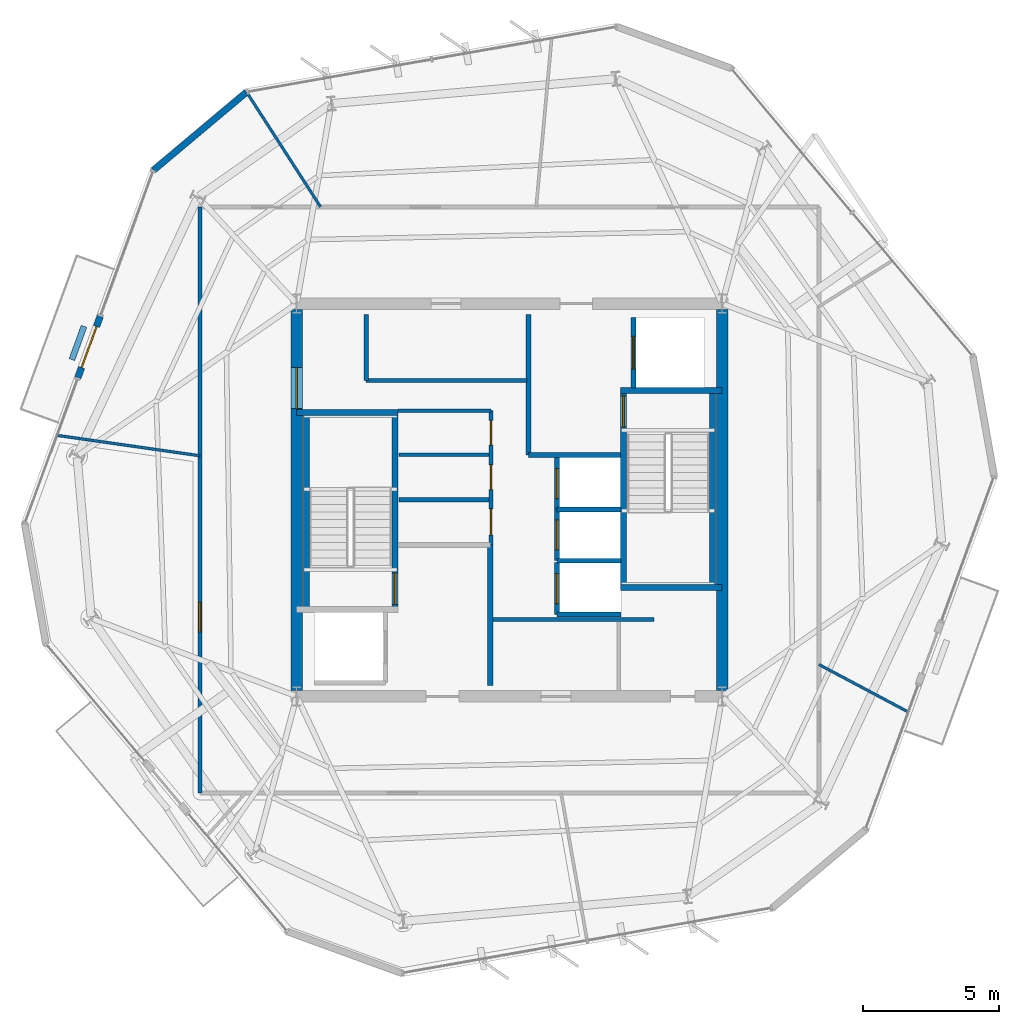
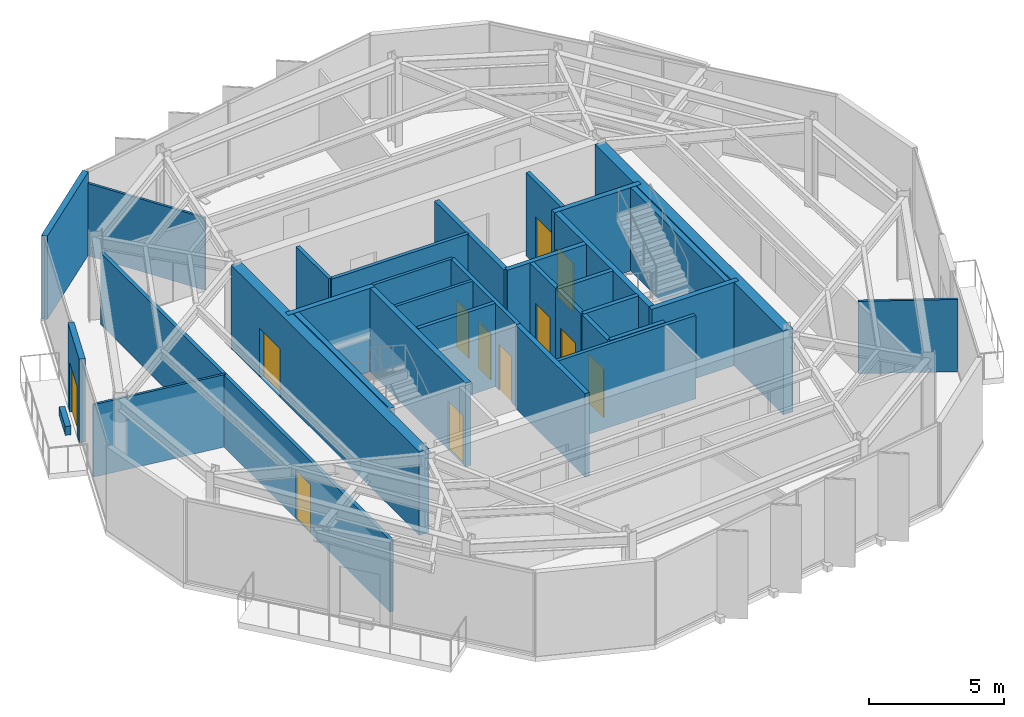
# One storey, part 7 of 11: 33 walls, 12 doors, 12 openings.
"""IFC4 building model written with IfcOpenShell, lengths in metres."""

from ifc_helpers import new_model, si_unit, direction, frame, frame_2d, origin, place, context, subcontext, project, spatial, rectangle, extrude, material, layer, layer_set, type_object, element, fill, save


model = new_model("IFC4")

# Units and contexts
model_context = context("Model", 3, precision=1e-05, world=origin(), true_north=direction((0.0, 1.0)))
body_context = subcontext(model_context, "Body", "Model", "MODEL_VIEW")
ifc_project = project(units=[si_unit("LENGTHUNIT", "METRE"), si_unit("AREAUNIT", "SQUARE_METRE"), si_unit("VOLUMEUNIT", "CUBIC_METRE"), si_unit("PLANEANGLEUNIT", "RADIAN"), si_unit("MASSUNIT", "GRAM", prefix="KILO")], contexts=[model_context])

# Site, building, storey
site_placement = place(None, origin())
site = spatial("IfcSite", under=ifc_project, at=site_placement, CompositionType="ELEMENT")
building_placement = place(site_placement, origin())
building = spatial("IfcBuilding", under=site, at=building_placement, Name="Kranzbogen Civic Tower", CompositionType="ELEMENT")
storey_placement = place(building_placement, frame((0.0, 0.0, 306.199951171875)))
storey = spatial("IfcBuildingStorey", under=building, at=storey_placement, Name="L74", CompositionType="ELEMENT", Elevation=306.199951171875)

# Walls
ifc_material_1 = material(Name="Double-Stud Acoustic Gypsum Partition")
ifc_layer_1 = layer(ifc_material_1, 0.14990234375, Name="Double-Stud Acoustic Gypsum Partition")
ifc_layer_set_1 = layer_set([ifc_layer_1], Name="Double-Stud Acoustic Gypsum Partition")
wall_type_1 = type_object("IfcWallType", Name="Acoustic Corridor and Clinical Partition 150 mm", PredefinedType="PARTITIONING", material=ifc_layer_set_1)
wall_1_placement = place(storey_placement, frame((24.39990234375, 20.610107421875, 0.0), z_axis=(0.0, 0.0, 1.0), x_axis=(1.0, 0.0, 0.0)))
element("IfcWall", 1, at=wall_1_placement, inside=storey, type_object=wall_type_1, Name="L74 records zone North wall", PredefinedType="PARTITIONING", context=body_context, shape_type="SweptSolid", body=[
    extrude(rectangle(XDim=5.900146484375, YDim=0.14990234375, at=frame_2d((2.9501953125, 0.0))), origin(), (0.0, 0.0, 1.0), 3.780029296875),
])
wall_2_placement = place(storey_placement, frame((19.75, 29.389892578125, 0.0), z_axis=(0.0, 0.0, 1.0), x_axis=(1.0, 0.0, 0.0)))
element("IfcWall", 2, at=wall_2_placement, inside=storey, type_object=wall_type_1, Name="L74 digital comms South wall", PredefinedType="PARTITIONING", context=body_context, shape_type="SweptSolid", body=[
    extrude(rectangle(XDim=5.89990234375, YDim=0.14990234375, at=frame_2d((2.949951171875, 0.0))), origin(), (0.0, 0.0, 1.0), 3.780029296875),
])
wall_3_placement = place(storey_placement, frame((19.75, 29.389892578125, 0.0), z_axis=(0.0, 0.0, 1.0), x_axis=(0.0, 1.0, 0.0)))
element("IfcWall", 3, at=wall_3_placement, inside=storey, type_object=wall_type_1, Name="L74 digital comms West wall", PredefinedType="PARTITIONING", context=body_context, shape_type="SweptSolid", body=[
    extrude(rectangle(XDim=2.41015625, YDim=0.14990234375, at=frame_2d((1.205078125, 0.0))), origin(), (0.0, 0.0, 1.0), 3.780029296875),
])

# Wall, opening, door
wall_4_placement = place(storey_placement, frame((13.64990234375, 14.25, 0.0), z_axis=(0.0, 0.0, 1.0), x_axis=(0.0, 1.0, 0.0)))
wall_4 = element("IfcWall", 4, at=wall_4_placement, inside=storey, type_object=wall_type_1, Name="L74 corridor partition 04", PredefinedType="PARTITIONING", context=body_context, shape_type="SweptSolid", body=[
    extrude(rectangle(XDim=21.5, YDim=0.14990234375, at=frame_2d((10.75, 0.0))), origin(), (0.0, 0.0, 1.0), 3.25),
])
opening_1_placement = place(wall_4_placement, frame((5.9140625, 0.0, 0.0)))
opening_1 = element("IfcOpeningElement", 5, at=opening_1_placement, cuts=wall_4, Name="Opening D-COR60", PredefinedType="OPENING", context=body_context, shape_type="SweptSolid", body=[
    extrude(rectangle(XDim=1.10009765625, YDim=2.199951171875, at=frame_2d((0.550048828125, 1.10009765625))), frame((0.0, 0.0849609375, 0.0), z_axis=(0.0, -1.0, 0.0), x_axis=(1.0, 0.0, 0.0)), (0.0, 0.0, 1.0), 0.169921875),
])
ifc_material_2 = material(Name="Oak Timber and Fire Core", Category="wood")
door_type_1 = type_object("IfcDoorType", Name="Corridor Acoustic Fire Door 1100x2200", OperationType="NOTDEFINED", PredefinedType="DOOR", material=ifc_material_2)
door_1_placement = place(opening_1_placement, origin())
door_1 = element("IfcDoor", 6, at=door_1_placement, inside=storey, type_object=door_type_1, Name="L74 Public Delegation Reception door", OperationType="SINGLE_SWING_LEFT", OverallHeight=2.199951171875, OverallWidth=1.10009765625, PredefinedType="DOOR", context=body_context, shape_type="SweptSolid", body=[
    extrude(rectangle(XDim=1.10009765625, YDim=2.199951171875, at=frame_2d((0.550048828125, 1.10009765625))), frame((0.0, 0.02490234375, 0.0), z_axis=(0.0, -1.0, 0.0), x_axis=(1.0, 0.0, 0.0)), (0.0, 0.0, 1.0), 0.050048828125),
])
fill(opening_1, door_1)

# Walls
ifc_material_3 = material(Name="Insulated Metal-Stud Gypsum Partition")
ifc_layer_2 = layer(ifc_material_3, 0.125, Name="Insulated Metal-Stud Gypsum Partition")
ifc_layer_set_2 = layer_set([ifc_layer_2], Name="Insulated Metal-Stud Gypsum Partition")
wall_type_2 = type_object("IfcWallType", Name="Acoustic Inter-Room Partition 125 mm", PredefinedType="PARTITIONING", material=ifc_layer_set_2)
wall_5_placement = place(storey_placement, frame((20.919921875, 28.280029296875, 0.0), z_axis=(0.0, 0.0, 1.0), x_axis=(1.0, 0.0, 0.0)))
element("IfcWall", 7, at=wall_5_placement, inside=storey, type_object=wall_type_2, Name="L74 core auxiliary North wall", PredefinedType="PARTITIONING", context=body_context, shape_type="SweptSolid", body=[
    extrude(rectangle(XDim=3.405029296875, YDim=0.125, at=frame_2d((1.70263671875, 0.0))), origin(), (0.0, 0.0, 1.0), 3.780029296875),
])
wall_6_placement = place(storey_placement, frame((20.949951171875, 26.659912109375, 0.0), z_axis=(0.0, 0.0, 1.0), x_axis=(1.0, 0.0, 0.0)))
element("IfcWall", 8, at=wall_6_placement, inside=storey, type_object=wall_type_2, Name="L74 core auxiliary partition 3", PredefinedType="PARTITIONING", context=body_context, shape_type="SweptSolid", body=[
    extrude(rectangle(XDim=3.300048828125, YDim=0.125, at=frame_2d((1.64990234375, 0.0))), origin(), (0.0, 0.0, 1.0), 3.780029296875),
])
ifc_material_4 = material(Name="Architectural Precast Terracotta Concrete C40/50", Category="masonry")
ifc_layer_3 = layer(ifc_material_4, 0.219970703125, Name="Architectural Precast Terracotta Concrete C40/50")
ifc_layer_set_3 = layer_set([ifc_layer_3], Name="Architectural Precast Terracotta Concrete C40/50")
wall_type_3 = type_object("IfcWallType", Name="Architectural Tree Planter Kerb Wall 220 mm", PredefinedType="USERDEFINED", material=ifc_layer_set_3)
wall_7_placement = place(storey_placement, frame((9.39990234375, 31.3701171875, 0.0), z_axis=(0.0, 0.0, 1.0), x_axis=(-0.341351063346, -0.939935876298, 0.0)))
element("IfcWall", 9, at=wall_7_placement, inside=storey, type_object=wall_type_3, Name="L74 landscaped tree balcony planter L74-TB1", ObjectType="PLANTER_WALL", PredefinedType="USERDEFINED", context=body_context, shape_type="SweptSolid", body=[
    extrude(rectangle(XDim=1.30029296875, YDim=0.219970703125, at=frame_2d((0.650146484375, 0.0))), origin(), (0.0, 0.0, 1.0), 0.400146484375),
])

# Wall, opening, door
ifc_material_5 = material(Name="Concrete C45/55", Category="concrete")
ifc_layer_4 = layer(ifc_material_5, 0.419921875, Name="Concrete C45/55")
ifc_layer_set_4 = layer_set([ifc_layer_4], Name="Concrete C45/55")
wall_type_4 = type_object("IfcWallType", Name="Central Core Shear Wall 420 mm", PredefinedType="SHEAR", material=ifc_layer_set_4)
wall_8_placement = place(storey_placement, frame((17.199951171875, 31.989990234375, 0.0), z_axis=(0.0, 0.0, 1.0), x_axis=(0.0, -1.0, 0.0)))
wall_8 = element("IfcWall", 10, at=wall_8_placement, inside=storey, type_object=wall_type_4, Name="L74 central core West shear wall", PredefinedType="SHEAR", context=body_context, shape_type="SweptSolid", body=[
    extrude(rectangle(XDim=13.97998046875, YDim=0.419921875, at=frame_2d((6.989990234375, 0.0))), origin(), (0.0, 0.0, 1.0), 3.780029296875),
])
opening_2_placement = place(wall_8_placement, frame((2.139892578125, 0.0, 0.0)))
opening_2 = element("IfcOpeningElement", 11, at=opening_2_placement, cuts=wall_8, Name="Opening D-DBL15", PredefinedType="OPENING", context=body_context, shape_type="SweptSolid", body=[
    extrude(rectangle(XDim=1.5, YDim=2.199951171875, at=frame_2d((0.75, 1.10009765625))), frame((0.0, 0.219970703125, 0.0), z_axis=(0.0, -1.0, 0.0), x_axis=(1.0, 0.0, 0.0)), (0.0, 0.0, 1.0), 0.43994140625),
])
ifc_material_6 = material(Name="Anodised Bronze and Glass", Category="glass")
door_type_2 = type_object("IfcDoorType", Name="Civic Lobby Double Door 1500x2200", OperationType="DOUBLE_DOOR_SINGLE_SWING", PredefinedType="DOOR", material=ifc_material_6)
door_2_placement = place(opening_2_placement, origin())
door_2 = element("IfcDoor", 12, at=door_2_placement, inside=storey, type_object=door_type_2, Name="L74 Central Lift Lobby West concourse door", OperationType="DOUBLE_DOOR_SINGLE_SWING", OverallHeight=2.199951171875, OverallWidth=1.5, PredefinedType="DOOR", context=body_context, shape_type="SweptSolid", body=[
    extrude(rectangle(XDim=1.5, YDim=2.199951171875, at=frame_2d((0.75, 1.10009765625))), frame((0.0, 0.02490234375, 0.0), z_axis=(0.0, -1.0, 0.0), x_axis=(1.0, 0.0, 0.0)), (0.0, 0.0, 1.0), 0.050048828125),
])
fill(opening_2, door_2)

# Wall
wall_9_placement = place(storey_placement, frame((32.800048828125, 18.010009765625, 0.0), z_axis=(0.0, 0.0, 1.0), x_axis=(0.0, 1.0, 0.0)))
element("IfcWall", 13, at=wall_9_placement, inside=storey, type_object=wall_type_4, Name="L74 central core East shear wall", PredefinedType="SHEAR", context=body_context, shape_type="SweptSolid", body=[
    extrude(rectangle(XDim=13.97998046875, YDim=0.419921875, at=frame_2d((6.989990234375, 0.0))), origin(), (0.0, 0.0, 1.0), 3.780029296875),
])

# Wall, opening, door
ifc_layer_5 = layer(ifc_material_5, 0.219970703125, Name="Concrete C45/55")
ifc_layer_set_5 = layer_set([ifc_layer_5], Name="Concrete C45/55")
wall_type_5 = type_object("IfcWallType", Name="Core Internal Stair Structural Wall 220 mm", PredefinedType="SOLIDWALL", material=ifc_layer_set_5)
wall_10_placement = place(storey_placement, frame((20.81005859375, 20.989990234375, 0.0), z_axis=(0.0, 0.0, 1.0), x_axis=(0.0, 1.0, 0.0)))
wall_10 = element("IfcWall", 14, at=wall_10_placement, inside=storey, type_object=wall_type_5, Name="L74 ST-T1 East structural stair wall", PredefinedType="SOLIDWALL", context=body_context, shape_type="SweptSolid", body=[
    extrude(rectangle(XDim=7.219970703125, YDim=0.219970703125, at=frame_2d((3.60986328125, 0.0))), origin(), (0.0, 0.0, 1.0), 3.780029296875),
])
opening_3_placement = place(wall_10_placement, frame((0.179931640625, 0.0, 0.0)))
opening_3 = element("IfcOpeningElement", 15, at=opening_3_placement, cuts=wall_10, Name="Opening D-ST90", PredefinedType="OPENING", context=body_context, shape_type="SweptSolid", body=[
    extrude(rectangle(XDim=1.14990234375, YDim=2.199951171875, at=frame_2d((0.574951171875, 1.10009765625))), frame((0.0, 0.1201171875, 0.0), z_axis=(0.0, -1.0, 0.0), x_axis=(1.0, 0.0, 0.0)), (0.0, 0.0, 1.0), 0.239990234375),
])
ifc_material_7 = material(Name="Steel S355", Category="steel")
door_type_3 = type_object("IfcDoorType", Name="Pressurized Stair and Lobby Fire Door 1150x2200", OperationType="NOTDEFINED", PredefinedType="DOOR", material=ifc_material_7)
door_3_placement = place(opening_3_placement, origin())
door_3 = element("IfcDoor", 16, at=door_3_placement, inside=storey, type_object=door_type_3, Name="L74 Stair ST-T1 fire door", OperationType="SINGLE_SWING_LEFT", OverallHeight=2.199951171875, OverallWidth=1.14990234375, PredefinedType="DOOR", context=body_context, shape_type="SweptSolid", body=[
    extrude(rectangle(XDim=1.14990234375, YDim=2.199951171875, at=frame_2d((0.574951171875, 1.10009765625))), frame((0.0, 0.02490234375, 0.0), z_axis=(0.0, -1.0, 0.0), x_axis=(1.0, 0.0, 0.0)), (0.0, 0.0, 1.0), 0.050048828125),
])
fill(opening_3, door_3)

# Walls
wall_11_placement = place(storey_placement, frame((17.199951171875, 28.2099609375, 0.0), z_axis=(0.0, 0.0, 1.0), x_axis=(1.0, 0.0, 0.0)))
element("IfcWall", 17, at=wall_11_placement, inside=storey, type_object=wall_type_5, Name="L74 ST-T1 North structural stair wall", PredefinedType="SOLIDWALL", context=body_context, shape_type="SweptSolid", body=[
    extrude(rectangle(XDim=3.719970703125, YDim=0.219970703125, at=frame_2d((1.85986328125, 0.0))), origin(), (0.0, 0.0, 1.0), 3.780029296875),
])
wall_12_placement = place(storey_placement, frame((17.554931640625, 28.2099609375, 0.0), z_axis=(0.0, 0.0, 1.0), x_axis=(0.0, -1.0, 0.0)))
element("IfcWall", 18, at=wall_12_placement, inside=storey, type_object=wall_type_5, Name="L74 ST-T1 West structural stair wall", PredefinedType="SOLIDWALL", context=body_context, shape_type="SweptSolid", body=[
    extrude(rectangle(XDim=7.219970703125, YDim=0.219970703125, at=frame_2d((3.60986328125, 0.0))), origin(), (0.0, 0.0, 1.0), 3.780029296875),
])

# Wall, opening, door
wall_13_placement = place(storey_placement, frame((29.18994140625, 21.7900390625, 0.0), z_axis=(0.0, 0.0, 1.0), x_axis=(0.0, 1.0, 0.0)))
wall_13 = element("IfcWall", 19, at=wall_13_placement, inside=storey, type_object=wall_type_5, Name="L74 ST-T2 West structural stair wall", PredefinedType="SOLIDWALL", context=body_context, shape_type="SweptSolid", body=[
    extrude(rectangle(XDim=7.219970703125, YDim=0.219970703125, at=frame_2d((3.60986328125, 0.0))), origin(), (0.0, 0.0, 1.0), 3.780029296875),
])
opening_4_placement = place(wall_13_placement, frame((5.8798828125, 0.0, 0.0)))
opening_4 = element("IfcOpeningElement", 20, at=opening_4_placement, cuts=wall_13, Name="Opening D-ST90", PredefinedType="OPENING", context=body_context, shape_type="SweptSolid", body=[
    extrude(rectangle(XDim=1.14990234375, YDim=2.199951171875, at=frame_2d((0.574951171875, 1.10009765625))), frame((0.0, 0.1201171875, 0.0), z_axis=(0.0, -1.0, 0.0), x_axis=(1.0, 0.0, 0.0)), (0.0, 0.0, 1.0), 0.239990234375),
])
door_4_placement = place(opening_4_placement, origin())
door_4 = element("IfcDoor", 21, at=door_4_placement, inside=storey, type_object=door_type_3, Name="L74 Stair ST-T2 fire door", OperationType="SINGLE_SWING_RIGHT", OverallHeight=2.199951171875, OverallWidth=1.14990234375, PredefinedType="DOOR", context=body_context, shape_type="SweptSolid", body=[
    extrude(rectangle(XDim=1.14990234375, YDim=2.199951171875, at=frame_2d((0.574951171875, 1.10009765625))), frame((0.0, 0.02490234375, 0.0), z_axis=(0.0, -1.0, 0.0), x_axis=(1.0, 0.0, 0.0)), (0.0, 0.0, 1.0), 0.050048828125),
])
fill(opening_4, door_4)

# Walls
for number, where, z_axis, x_axis, name in (
    (22, (29.080078125, 21.7900390625, 0.0), (0.0, 0.0, 1.0), (1.0, 0.0, 0.0), "L74 ST-T2 South structural stair wall"),
    (23, (29.080078125, 29.010009765625, 0.0), (0.0, 0.0, 1.0), (1.0, 0.0, 0.0), "L74 ST-T2 North structural stair wall"),
):
    element("IfcWall", number, at=place(storey_placement, frame(where, z_axis=z_axis, x_axis=x_axis)), inside=storey, type_object=wall_type_5, Name=name, PredefinedType="SOLIDWALL", context=body_context, shape_type="SweptSolid", body=[
        extrude(rectangle(XDim=3.719970703125, YDim=0.219970703125, at=frame_2d((1.85986328125, 0.0))), origin(), (0.0, 0.0, 1.0), 3.780029296875),
    ])
wall_14_placement = place(storey_placement, frame((32.445068359375, 29.010009765625, 0.0), z_axis=(0.0, 0.0, 1.0), x_axis=(0.0, -1.0, 0.0)))
element("IfcWall", 24, at=wall_14_placement, inside=storey, type_object=wall_type_5, Name="L74 ST-T2 East structural stair wall", PredefinedType="SOLIDWALL", context=body_context, shape_type="SweptSolid", body=[
    extrude(rectangle(XDim=7.219970703125, YDim=0.219970703125, at=frame_2d((3.60986328125, 0.0))), origin(), (0.0, 0.0, 1.0), 3.780029296875),
])
ifc_material_8 = material(Name="Demountable Aluminium and Gypsum Partition", Category="aluminium")
ifc_layer_6 = layer(ifc_material_8, 0.10009765625, Name="Demountable Aluminium and Gypsum Partition")
ifc_layer_set_6 = layer_set([ifc_layer_6], Name="Demountable Aluminium and Gypsum Partition")
wall_type_6 = type_object("IfcWallType", Name="Demountable Office Partition 100 mm", PredefinedType="MOVABLE", material=ifc_layer_set_6)
wall_15_placement = place(storey_placement, frame((18.073974609375, 35.75, 0.0), z_axis=(0.0, 0.0, 1.0), x_axis=(-0.541566097493, 0.840658171938, 0.0)))
element("IfcWall", 25, at=wall_15_placement, inside=storey, type_object=wall_type_6, Name="L74 radial room partition 01", PredefinedType="MOVABLE", context=body_context, shape_type="SweptSolid", body=[
    extrude(rectangle(XDim=4.989013671875, YDim=0.10009765625, at=frame_2d((2.49462890625, 0.0))), origin(), (0.0, 0.0, 1.0), 3.280029296875),
])
wall_16_placement = place(storey_placement, frame((13.64990234375, 26.6220703125, 0.0), z_axis=(0.0, 0.0, 1.0), x_axis=(-0.989949493661, 0.141421356237, 0.0)))
element("IfcWall", 26, at=wall_16_placement, inside=storey, type_object=wall_type_6, Name="L74 radial room partition 02", PredefinedType="MOVABLE", context=body_context, shape_type="SweptSolid", body=[
    extrude(rectangle(XDim=5.28076171875, YDim=0.10009765625, at=frame_2d((2.640380859375, 0.0))), origin(), (0.0, 0.0, 1.0), 3.280029296875),
])
wall_17_placement = place(storey_placement, frame((36.35009765625, 18.968017578125, 0.0), z_axis=(0.0, 0.0, 1.0), x_axis=(0.883037861364, -0.469301753031, 0.0)))
element("IfcWall", 27, at=wall_17_placement, inside=storey, type_object=wall_type_6, Name="L74 radial room partition 05", PredefinedType="MOVABLE", context=body_context, shape_type="SweptSolid", body=[
    extrude(rectangle(XDim=3.695068359375, YDim=0.10009765625, at=frame_2d((1.84765625, 0.0))), origin(), (0.0, 0.0, 1.0), 3.280029296875),
])
ifc_material_9 = material(Name="Gypsum Fireboard and Concrete Block", Category="concrete")
ifc_layer_7 = layer(ifc_material_9, 0.199951171875, Name="Gypsum Fireboard and Concrete Block")
ifc_layer_set_7 = layer_set([ifc_layer_7], Name="Gypsum Fireboard and Concrete Block")
wall_type_7 = type_object("IfcWallType", Name="Fire-Rated Exit Passageway and Stair Wall 200 mm", PredefinedType="PARTITIONING", material=ifc_layer_set_7)
for number, where, z_axis, x_axis, name in (
    (28, (24.300048828125, 18.199951171875, 0.0), (0.0, 0.0, 1.0), (0.0, 1.0, 0.0), "L74 West firefighting lobby East wall"),
    (29, (25.699951171875, 26.64990234375, 0.0), (0.0, 0.0, 1.0), (0.0, 1.0, 0.0), "L74 East firefighting lobby West wall"),
):
    element("IfcWall", number, at=place(storey_placement, frame(where, z_axis=z_axis, x_axis=x_axis)), inside=storey, type_object=wall_type_7, Name=name, PredefinedType="PARTITIONING", context=body_context, shape_type="SweptSolid", body=[
        extrude(rectangle(XDim=5.150146484375, YDim=0.199951171875, at=frame_2d((2.5751953125, 0.0))), origin(), (0.0, 0.0, 1.0), 3.780029296875),
    ])
wall_18_placement = place(storey_placement, frame((25.699951171875, 26.64990234375, 0.0), z_axis=(0.0, 0.0, 1.0), x_axis=(1.0, 0.0, 0.0)))
element("IfcWall", 30, at=wall_18_placement, inside=storey, type_object=wall_type_7, Name="L74 East firefighting lobby South wall", PredefinedType="PARTITIONING", context=body_context, shape_type="SweptSolid", body=[
    extrude(rectangle(XDim=3.380126953125, YDim=0.199951171875, at=frame_2d((1.68994140625, 0.0))), origin(), (0.0, 0.0, 1.0), 3.780029296875),
])

# Wall, opening, door
ifc_material_10 = material(Name="Gypsum Fireboard Shaftliner")
ifc_layer_8 = layer(ifc_material_10, 0.175048828125, Name="Gypsum Fireboard Shaftliner")
ifc_layer_set_8 = layer_set([ifc_layer_8], Name="Gypsum Fireboard Shaftliner")
wall_type_8 = type_object("IfcWallType", Name="Fire-Rated Lift and Service Shaft Wall 175 mm", PredefinedType="PARTITIONING", material=ifc_layer_set_8)
wall_19_placement = place(storey_placement, frame((26.75, 20.800048828125, 0.0), z_axis=(0.0, 0.0, 1.0), x_axis=(0.0, 1.0, 0.0)))
wall_19 = element("IfcWall", 31, at=wall_19_placement, inside=storey, type_object=wall_type_8, Name="L74 lift HP-01 landing wall", PredefinedType="PARTITIONING", context=body_context, shape_type="SweptSolid", body=[
    extrude(rectangle(XDim=1.89990234375, YDim=0.175048828125, at=frame_2d((0.949951171875, 0.0))), origin(), (0.0, 0.0, 1.0), 3.780029296875),
])
opening_5_placement = place(wall_19_placement, frame((0.39990234375, 0.0, 0.0)))
opening_5 = element("IfcOpeningElement", 32, at=opening_5_placement, cuts=wall_19, Name="Opening LD-HP-01", PredefinedType="OPENING", context=body_context, shape_type="SweptSolid", body=[
    extrude(rectangle(XDim=1.10009765625, YDim=2.199951171875, at=frame_2d((0.550048828125, 1.10009765625))), frame((0.0, 0.09765625, 0.0), z_axis=(0.0, -1.0, 0.0), x_axis=(1.0, 0.0, 0.0)), (0.0, 0.0, 1.0), 0.195068359375),
])
ifc_material_11 = material(Name="Pale Anodised Aluminium", Category="aluminium")
door_type_4 = type_object("IfcDoorType", Name="Passenger Lift Sliding Landing Door 1100x2200", OperationType="DOUBLE_DOOR_SLIDING", PredefinedType="DOOR", material=ifc_material_11)
door_5_placement = place(opening_5_placement, origin())
door_5 = element("IfcDoor", 33, at=door_5_placement, inside=storey, type_object=door_type_4, Name="L74 lift HP-01 sliding landing door", OperationType="DOUBLE_DOOR_SLIDING", OverallHeight=2.199951171875, OverallWidth=1.10009765625, PredefinedType="DOOR", context=body_context, shape_type="SweptSolid", body=[
    extrude(rectangle(XDim=1.10009765625, YDim=2.199951171875, at=frame_2d((0.550048828125, 1.10009765625))), frame((0.0, 0.02490234375, 0.0), z_axis=(0.0, -1.0, 0.0), x_axis=(1.0, 0.0, 0.0)), (0.0, 0.0, 1.0), 0.050048828125),
])
fill(opening_5, door_5)

# Wall
wall_20_placement = place(storey_placement, frame((26.75, 20.800048828125, 0.0), z_axis=(0.0, 0.0, 1.0), x_axis=(1.0, 0.0, 0.0)))
element("IfcWall", 34, at=wall_20_placement, inside=storey, type_object=wall_type_8, Name="L74 lift HP-01 side wall", PredefinedType="PARTITIONING", context=body_context, shape_type="SweptSolid", body=[
    extrude(rectangle(XDim=2.35009765625, YDim=0.175048828125, at=frame_2d((1.175048828125, 0.0))), origin(), (0.0, 0.0, 1.0), 3.780029296875),
])

# Wall, opening, door
wall_21_placement = place(storey_placement, frame((26.75, 22.77490234375, 0.0), z_axis=(0.0, 0.0, 1.0), x_axis=(0.0, 1.0, 0.0)))
wall_21 = element("IfcWall", 35, at=wall_21_placement, inside=storey, type_object=wall_type_8, Name="L74 lift HP-02 landing wall", PredefinedType="PARTITIONING", context=body_context, shape_type="SweptSolid", body=[
    extrude(rectangle(XDim=1.900146484375, YDim=0.175048828125, at=frame_2d((0.9501953125, 0.0))), origin(), (0.0, 0.0, 1.0), 3.780029296875),
])
opening_6_placement = place(wall_21_placement, frame((0.39990234375, 0.0, 0.0)))
opening_6 = element("IfcOpeningElement", 36, at=opening_6_placement, cuts=wall_21, Name="Opening LD-HP-02", PredefinedType="OPENING", context=body_context, shape_type="SweptSolid", body=[
    extrude(rectangle(XDim=1.10009765625, YDim=2.199951171875, at=frame_2d((0.550048828125, 1.10009765625))), frame((0.0, 0.09765625, 0.0), z_axis=(0.0, -1.0, 0.0), x_axis=(1.0, 0.0, 0.0)), (0.0, 0.0, 1.0), 0.195068359375),
])
door_6_placement = place(opening_6_placement, origin())
door_6 = element("IfcDoor", 37, at=door_6_placement, inside=storey, type_object=door_type_4, Name="L74 lift HP-02 sliding landing door", OperationType="DOUBLE_DOOR_SLIDING", OverallHeight=2.199951171875, OverallWidth=1.10009765625, PredefinedType="DOOR", context=body_context, shape_type="SweptSolid", body=[
    extrude(rectangle(XDim=1.10009765625, YDim=2.199951171875, at=frame_2d((0.550048828125, 1.10009765625))), frame((0.0, 0.02490234375, 0.0), z_axis=(0.0, -1.0, 0.0), x_axis=(1.0, 0.0, 0.0)), (0.0, 0.0, 1.0), 0.050048828125),
])
fill(opening_6, door_6)

# Wall
wall_22_placement = place(storey_placement, frame((26.75, 22.77490234375, 0.0), z_axis=(0.0, 0.0, 1.0), x_axis=(1.0, 0.0, 0.0)))
element("IfcWall", 38, at=wall_22_placement, inside=storey, type_object=wall_type_8, Name="L74 lift HP-02 side wall", PredefinedType="PARTITIONING", context=body_context, shape_type="SweptSolid", body=[
    extrude(rectangle(XDim=2.35009765625, YDim=0.175048828125, at=frame_2d((1.175048828125, 0.0))), origin(), (0.0, 0.0, 1.0), 3.780029296875),
])

# Wall, opening, door
wall_23_placement = place(storey_placement, frame((26.75, 24.64990234375, 0.0), z_axis=(0.0, 0.0, 1.0), x_axis=(0.0, 1.0, 0.0)))
wall_23 = element("IfcWall", 39, at=wall_23_placement, inside=storey, type_object=wall_type_8, Name="L74 lift HP-03 landing wall", PredefinedType="PARTITIONING", context=body_context, shape_type="SweptSolid", body=[
    extrude(rectangle(XDim=1.900146484375, YDim=0.175048828125, at=frame_2d((0.9501953125, 0.0))), origin(), (0.0, 0.0, 1.0), 3.780029296875),
])
opening_7_placement = place(wall_23_placement, frame((0.39990234375, 0.0, 0.0)))
opening_7 = element("IfcOpeningElement", 40, at=opening_7_placement, cuts=wall_23, Name="Opening LD-HP-03", PredefinedType="OPENING", context=body_context, shape_type="SweptSolid", body=[
    extrude(rectangle(XDim=1.10009765625, YDim=2.199951171875, at=frame_2d((0.550048828125, 1.10009765625))), frame((0.0, 0.09765625, 0.0), z_axis=(0.0, -1.0, 0.0), x_axis=(1.0, 0.0, 0.0)), (0.0, 0.0, 1.0), 0.195068359375),
])
door_7_placement = place(opening_7_placement, origin())
door_7 = element("IfcDoor", 41, at=door_7_placement, inside=storey, type_object=door_type_4, Name="L74 lift HP-03 sliding landing door", OperationType="DOUBLE_DOOR_SLIDING", OverallHeight=2.199951171875, OverallWidth=1.10009765625, PredefinedType="DOOR", context=body_context, shape_type="SweptSolid", body=[
    extrude(rectangle(XDim=1.10009765625, YDim=2.199951171875, at=frame_2d((0.550048828125, 1.10009765625))), frame((0.0, 0.02490234375, 0.0), z_axis=(0.0, -1.0, 0.0), x_axis=(1.0, 0.0, 0.0)), (0.0, 0.0, 1.0), 0.050048828125),
])
fill(opening_7, door_7)

# Wall
wall_24_placement = place(storey_placement, frame((26.75, 24.64990234375, 0.0), z_axis=(0.0, 0.0, 1.0), x_axis=(1.0, 0.0, 0.0)))
element("IfcWall", 42, at=wall_24_placement, inside=storey, type_object=wall_type_8, Name="L74 lift HP-03 side wall", PredefinedType="PARTITIONING", context=body_context, shape_type="SweptSolid", body=[
    extrude(rectangle(XDim=2.35009765625, YDim=0.175048828125, at=frame_2d((1.175048828125, 0.0))), origin(), (0.0, 0.0, 1.0), 3.780029296875),
])

# Wall, opening, door
wall_25_placement = place(storey_placement, frame((29.550048828125, 29.10009765625, 0.0), z_axis=(0.0, 0.0, 1.0), x_axis=(0.0, 1.0, 0.0)))
wall_25 = element("IfcWall", 43, at=wall_25_placement, inside=storey, type_object=wall_type_8, Name="L74 lift FF-02 landing wall", PredefinedType="PARTITIONING", context=body_context, shape_type="SweptSolid", body=[
    extrude(rectangle(XDim=2.599853515625, YDim=0.175048828125, at=frame_2d((1.2998046875, 0.0))), origin(), (0.0, 0.0, 1.0), 3.780029296875),
])
opening_8_placement = place(wall_25_placement, frame((0.699951171875, 0.0, 0.0)))
opening_8 = element("IfcOpeningElement", 44, at=opening_8_placement, cuts=wall_25, Name="Opening LD-FF-02", PredefinedType="OPENING", context=body_context, shape_type="SweptSolid", body=[
    extrude(rectangle(XDim=1.199951171875, YDim=2.199951171875, at=frame_2d((0.60009765625, 1.10009765625))), frame((0.0, 0.09765625, 0.0), z_axis=(0.0, -1.0, 0.0), x_axis=(1.0, 0.0, 0.0)), (0.0, 0.0, 1.0), 0.195068359375),
])
door_type_5 = type_object("IfcDoorType", Name="Firefighting and Stretcher Lift Sliding Landing Door 1200x2200", OperationType="DOUBLE_DOOR_SLIDING", PredefinedType="DOOR", material=ifc_material_11)
door_8_placement = place(opening_8_placement, origin())
door_8 = element("IfcDoor", 45, at=door_8_placement, inside=storey, type_object=door_type_5, Name="L74 lift FF-02 sliding landing door", OperationType="DOUBLE_DOOR_SLIDING", OverallHeight=2.199951171875, OverallWidth=1.199951171875, PredefinedType="DOOR", context=body_context, shape_type="SweptSolid", body=[
    extrude(rectangle(XDim=1.199951171875, YDim=2.199951171875, at=frame_2d((0.60009765625, 1.10009765625))), frame((0.0, 0.02490234375, 0.0), z_axis=(0.0, -1.0, 0.0), x_axis=(1.0, 0.0, 0.0)), (0.0, 0.0, 1.0), 0.050048828125),
])
fill(opening_8, door_8)

# Wall
ifc_layer_9 = layer(ifc_material_11, 0.239990234375, Name="Pale Anodised Aluminium")
ifc_layer_set_9 = layer_set([ifc_layer_9], Name="Pale Anodised Aluminium")
wall_type_9 = type_object("IfcWallType", Name="Insulated Aluminium Facade Portal Wall 240 mm", PredefinedType="STANDARD", material=ifc_layer_set_9)
wall_26_placement = place(storey_placement, frame((15.363037109375, 39.9580078125, 0.0), z_axis=(0.0, 0.0, 1.0), x_axis=(-0.765993487021, -0.642848331912, 0.0)))
element("IfcWall", 46, at=wall_26_placement, inside=storey, type_object=wall_type_9, Name="L74 chamfered corner facade spandrel 1", PredefinedType="STANDARD", context=body_context, shape_type="SweptSolid", body=[
    extrude(rectangle(XDim=4.464599609375, YDim=0.239990234375, at=frame_2d((2.232421875, 0.0))), origin(), (0.0, 0.0, 1.0), 3.780029296875),
])

# Wall, opening, door
wall_27_placement = place(storey_placement, frame((9.99609375, 31.739013671875, 0.0), z_axis=(0.0, 0.0, 1.0), x_axis=(-0.341979831546, -0.939707292095, 0.0)))
wall_27 = element("IfcWall", 47, at=wall_27_placement, inside=storey, type_object=wall_type_9, Name="L74 exterior entrance portal wall 1", PredefinedType="STANDARD", context=body_context, shape_type="SweptSolid", body=[
    extrude(rectangle(XDim=2.40087890625, YDim=0.239990234375, at=frame_2d((1.200439453125, 0.0))), origin(), (0.0, 0.0, 1.0), 3.780029296875),
])
opening_9_placement = place(wall_27_placement, frame((0.39990234375, 0.0, 0.0)))
opening_9 = element("IfcOpeningElement", 48, at=opening_9_placement, cuts=wall_27, Name="Opening D-TER", PredefinedType="OPENING", context=body_context, shape_type="SweptSolid", body=[
    extrude(rectangle(XDim=1.60009765625, YDim=2.25, at=frame_2d((0.800048828125, 1.125))), frame((0.0, 0.1298828125, 0.0), z_axis=(0.0, -1.0, 0.0), x_axis=(1.0, 0.0, 0.0)), (0.0, 0.0, 1.0), 0.260009765625),
])
ifc_material_12 = material(Name="Anodised Bronze and Triple Glass", Category="glass")
door_type_6 = type_object("IfcDoorType", Name="Glazed Terrace and Balcony Double Door 1600x2250", OperationType="DOUBLE_DOOR_SINGLE_SWING", PredefinedType="DOOR", material=ifc_material_12)
door_9_placement = place(opening_9_placement, frame((1.60009765625, 0.0, 0.0), z_axis=(0.0, 0.0, 1.0), x_axis=(-1.0, 0.0, 0.0)))
door_9 = element("IfcDoor", 49, at=door_9_placement, inside=storey, type_object=door_type_6, Name="L74 tree balcony access door L74-TB1", OperationType="DOUBLE_DOOR_SINGLE_SWING", OverallHeight=2.25, OverallWidth=1.60009765625, PredefinedType="DOOR", context=body_context, shape_type="SweptSolid", body=[
    extrude(rectangle(XDim=1.60009765625, YDim=2.25, at=frame_2d((0.800048828125, 1.125))), frame((0.0, 0.02490234375, 0.0), z_axis=(0.0, -1.0, 0.0), x_axis=(1.0, 0.0, 0.0)), (0.0, 0.0, 1.0), 0.050048828125),
])
fill(opening_9, door_9)

# Wall, openings, doors
ifc_material_13 = material(Name="Moisture-Resistant Gypsum Assembly")
ifc_layer_10 = layer(ifc_material_13, 0.159912109375, Name="Moisture-Resistant Gypsum Assembly")
ifc_layer_set_10 = layer_set([ifc_layer_10], Name="Moisture-Resistant Gypsum Assembly")
wall_type_10 = type_object("IfcWallType", Name="Sanitary and Plumbing Wet Wall 160 mm", PredefinedType="PLUMBINGWALL", material=ifc_layer_set_10)
wall_28_placement = place(storey_placement, frame((24.324951171875, 23.35009765625, 0.0), z_axis=(0.0, 0.0, 1.0), x_axis=(0.0, 1.0, 0.0)))
wall_28 = element("IfcWall", 50, at=wall_28_placement, inside=storey, type_object=wall_type_10, Name="L74 core auxiliary East wall", PredefinedType="PLUMBINGWALL", context=body_context, shape_type="SweptSolid", body=[
    extrude(rectangle(XDim=4.929931640625, YDim=0.159912109375, at=frame_2d((2.46484375, 0.0))), origin(), (0.0, 0.0, 1.0), 3.780029296875),
])
opening_10_placement = place(wall_28_placement, frame((0.375, 0.0, 0.0)))
opening_10 = element("IfcOpeningElement", 51, at=opening_10_placement, cuts=wall_28, Name="Opening D-AWC95", PredefinedType="OPENING", context=body_context, shape_type="SweptSolid", body=[
    extrude(rectangle(XDim=0.949951171875, YDim=2.10009765625, at=frame_2d((0.47509765625, 1.050048828125))), frame((0.0, 0.08984375, 0.0), z_axis=(0.0, -1.0, 0.0), x_axis=(1.0, 0.0, 0.0)), (0.0, 0.0, 1.0), 0.179931640625),
])
opening_11_placement = place(wall_28_placement, frame((2.034912109375, 0.0, 0.0)))
opening_11 = element("IfcOpeningElement", 52, at=opening_11_placement, cuts=wall_28, Name="Opening D-WC90", PredefinedType="OPENING", context=body_context, shape_type="SweptSolid", body=[
    extrude(rectangle(XDim=0.89990234375, YDim=2.10009765625, at=frame_2d((0.449951171875, 1.050048828125))), frame((0.0, 0.08984375, 0.0), z_axis=(0.0, -1.0, 0.0), x_axis=(1.0, 0.0, 0.0)), (0.0, 0.0, 1.0), 0.179931640625),
])
opening_12_placement = place(wall_28_placement, frame((3.659912109375, 0.0, 0.0)))
opening_12 = element("IfcOpeningElement", 53, at=opening_12_placement, cuts=wall_28, Name="Opening D-WC90", PredefinedType="OPENING", context=body_context, shape_type="SweptSolid", body=[
    extrude(rectangle(XDim=0.89990234375, YDim=2.10009765625, at=frame_2d((0.449951171875, 1.050048828125))), frame((0.0, 0.08984375, 0.0), z_axis=(0.0, -1.0, 0.0), x_axis=(1.0, 0.0, 0.0)), (0.0, 0.0, 1.0), 0.179931640625),
])
ifc_material_14 = material(Name="Moisture-Resistant Laminate")
door_type_7 = type_object("IfcDoorType", Name="Accessible Restroom Door 950x2100", OperationType="NOTDEFINED", PredefinedType="DOOR", material=ifc_material_14)
door_10_placement = place(opening_10_placement, origin())
door_10 = element("IfcDoor", 54, at=door_10_placement, inside=storey, type_object=door_type_7, Name="L74 Accessible Restroom door", OperationType="SINGLE_SWING_LEFT", OverallHeight=2.10009765625, OverallWidth=0.949951171875, PredefinedType="DOOR", context=body_context, shape_type="SweptSolid", body=[
    extrude(rectangle(XDim=0.949951171875, YDim=2.10009765625, at=frame_2d((0.47509765625, 1.050048828125))), frame((0.0, 0.02490234375, 0.0), z_axis=(0.0, -1.0, 0.0), x_axis=(1.0, 0.0, 0.0)), (0.0, 0.0, 1.0), 0.050048828125),
])
fill(opening_10, door_10)
door_type_8 = type_object("IfcDoorType", Name="Standard Restroom and Store Door 900x2100", OperationType="NOTDEFINED", PredefinedType="DOOR", material=ifc_material_14)
door_11_placement = place(opening_11_placement, origin())
door_11 = element("IfcDoor", 55, at=door_11_placement, inside=storey, type_object=door_type_8, Name="L74 Staff Restroom door", OperationType="SINGLE_SWING_RIGHT", OverallHeight=2.10009765625, OverallWidth=0.89990234375, PredefinedType="DOOR", context=body_context, shape_type="SweptSolid", body=[
    extrude(rectangle(XDim=0.89990234375, YDim=2.10009765625, at=frame_2d((0.449951171875, 1.050048828125))), frame((0.0, 0.02490234375, 0.0), z_axis=(0.0, -1.0, 0.0), x_axis=(1.0, 0.0, 0.0)), (0.0, 0.0, 1.0), 0.050048828125),
])
fill(opening_11, door_11)
door_12_placement = place(opening_12_placement, origin())
door_12 = element("IfcDoor", 56, at=door_12_placement, inside=storey, type_object=door_type_8, Name="L74 Cleaner and Janitor Store door", OperationType="SINGLE_SWING_LEFT", OverallHeight=2.10009765625, OverallWidth=0.89990234375, PredefinedType="DOOR", context=body_context, shape_type="SweptSolid", body=[
    extrude(rectangle(XDim=0.89990234375, YDim=2.10009765625, at=frame_2d((0.449951171875, 1.050048828125))), frame((0.0, 0.02490234375, 0.0), z_axis=(0.0, -1.0, 0.0), x_axis=(1.0, 0.0, 0.0)), (0.0, 0.0, 1.0), 0.050048828125),
])
fill(opening_12, door_12)

# Wall
wall_29_placement = place(storey_placement, frame((20.949951171875, 25.010009765625, 0.0), z_axis=(0.0, 0.0, 1.0), x_axis=(1.0, 0.0, 0.0)))
element("IfcWall", 57, at=wall_29_placement, inside=storey, type_object=wall_type_10, Name="L74 core auxiliary partition 2", PredefinedType="PLUMBINGWALL", context=body_context, shape_type="SweptSolid", body=[
    extrude(rectangle(XDim=3.300048828125, YDim=0.159912109375, at=frame_2d((1.64990234375, 0.0))), origin(), (0.0, 0.0, 1.0), 3.780029296875),
])

save(model, "model.ifc")
